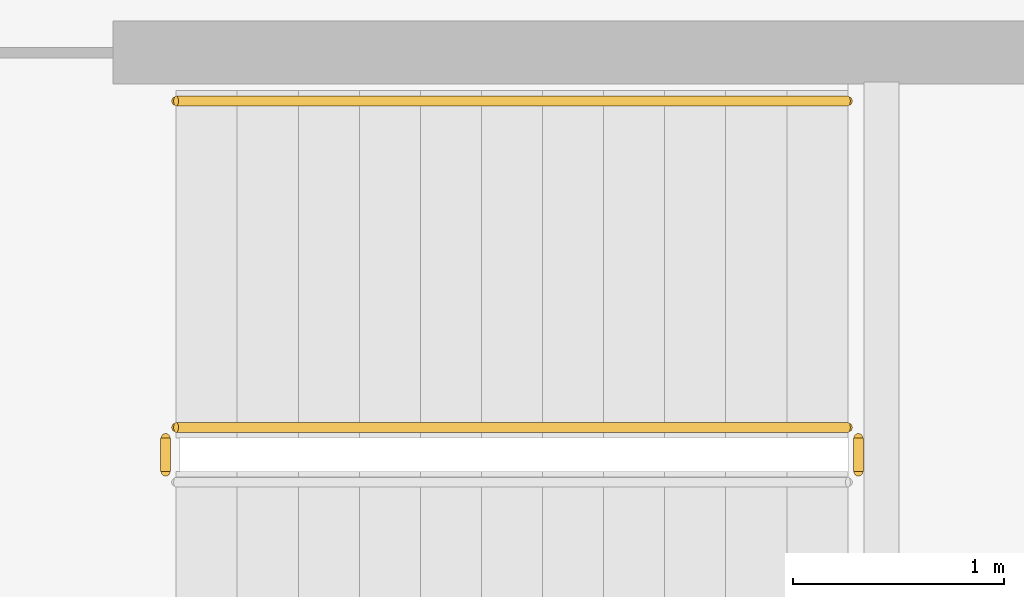
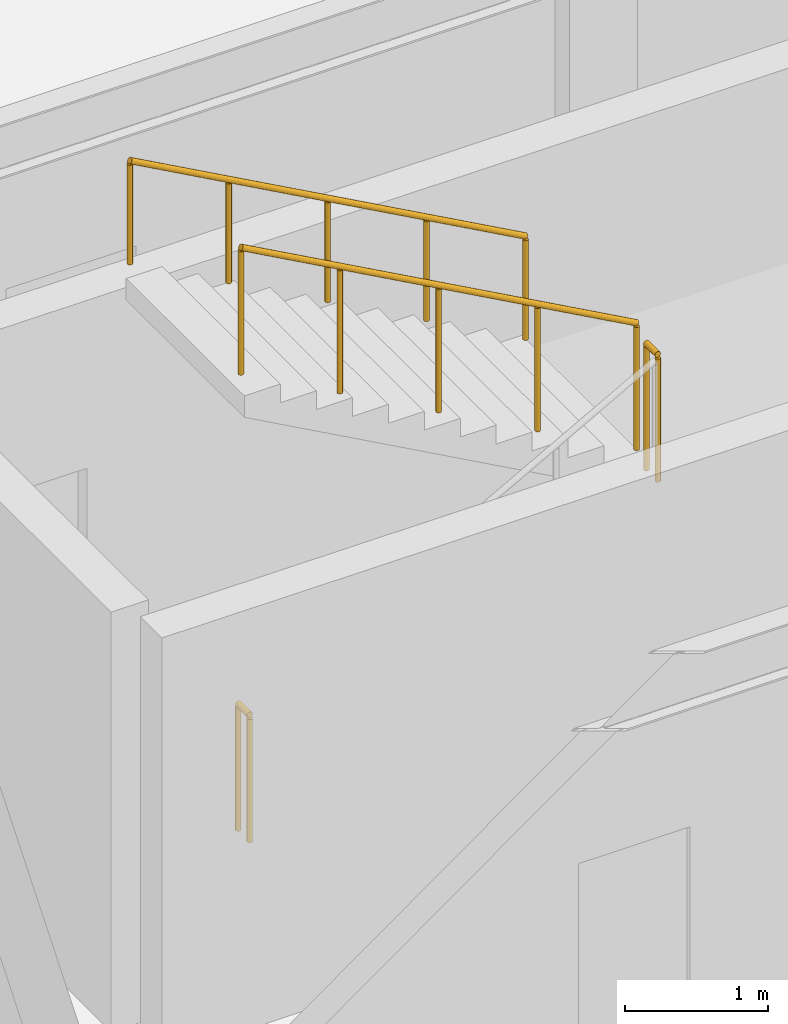
# One storey, part 50 of 53: 4 railings.
"""IFC4 building model written with IfcOpenShell, lengths in metres."""

from ifc_helpers import new_model, si_unit, direction, frame, origin, origin_2d, place, context, subcontext, project, spatial, circle, extrude, material, type_object, element, save


model = new_model("IFC4")

# Units and contexts
model_context = context("Model", 3, precision=1e-05, world=origin(), true_north=direction((0.0, 1.0)))
body_context = subcontext(model_context, "Body", "Model", "MODEL_VIEW")
ifc_project = project(units=[si_unit("LENGTHUNIT", "METRE"), si_unit("AREAUNIT", "SQUARE_METRE"), si_unit("VOLUMEUNIT", "CUBIC_METRE"), si_unit("PLANEANGLEUNIT", "RADIAN"), si_unit("MASSUNIT", "GRAM", prefix="KILO")], contexts=[model_context])

# Site, building, storey
site_placement = place(None, origin())
site = spatial("IfcSite", under=ifc_project, at=site_placement, CompositionType="ELEMENT")
building_placement = place(site_placement, origin())
building = spatial("IfcBuilding", under=site, at=building_placement, Name="Kranzveld Transit Interchange", CompositionType="ELEMENT")
storey_placement = place(building_placement, frame((0.0, 0.0, 13.360107421875)))
storey = spatial("IfcBuildingStorey", under=building, at=storey_placement, Name="L03", CompositionType="ELEMENT", Elevation=13.360107421875)

# Railings
ifc_material_1 = material(Name="Steel S355JR", Category="steel")
railing_type_1 = type_object("IfcRailingType", Name="Stair & Ramp Handrail Steel 900", PredefinedType="HANDRAIL", material=ifc_material_1)
railing_1_placement = place(storey_placement, frame((6.590087890625, 69.679931640625, 2.079833984375)))
element("IfcRailing", 1, at=railing_1_placement, inside=storey, type_object=railing_type_1, Name="L03 ST-C1 stair handrail 2", PredefinedType="HANDRAIL", context=body_context, shape_type="SweptSolid", body=[
    extrude(circle(Radius=0.02392578125, at=origin_2d()), frame((0.0, 0.0, 0.8759765625), z_axis=(-0.875588434347, 0.0, 0.483057857443), x_axis=(0.0, -1.0, 0.0)), (0.0, 0.0, 1.0), 3.6435546875),
    extrude(circle(Radius=0.02099609375, at=origin_2d()), origin(), (0.0, 0.0, 1.0), 0.849853515625),
    extrude(circle(Radius=0.02099609375, at=origin_2d()), frame((-0.797607421875, 0.0, 0.43994140625)), (0.0, 0.0, 1.0), 0.849853515625),
    extrude(circle(Radius=0.02099609375, at=origin_2d()), frame((-1.59521484375, 0.0, 0.8798828125)), (0.0, 0.0, 1.0), 0.849853515625),
    extrude(circle(Radius=0.02099609375, at=origin_2d()), frame((-2.392578125, 0.0, 1.320068359375)), (0.0, 0.0, 1.0), 0.849853515625),
    extrude(circle(Radius=0.02099609375, at=origin_2d()), frame((-3.190185546875, 0.0, 1.760009765625)), (0.0, 0.0, 1.0), 0.849853515625),
])
ifc_material_2 = material(Name="Steel S355JR", Category="steel")
railing_type_2 = type_object("IfcRailingType", Name="Stair Well Guardrail Steel 1100", PredefinedType="GUARDRAIL", material=ifc_material_2)
railing_2_placement = place(storey_placement, frame((6.639892578125, 67.919921875, 1.919921875)))
element("IfcRailing", 2, at=railing_2_placement, inside=storey, type_object=railing_type_2, Name="L03 ST-C1 stair guard 2", PredefinedType="GUARDRAIL", context=body_context, shape_type="SweptSolid", body=[
    extrude(circle(Radius=0.02392578125, at=origin_2d()), frame((0.0, 0.0, 1.076171875), z_axis=(0.0, 1.0, 0.0), x_axis=(-1.0, 0.0, 0.0)), (0.0, 0.0, 1.0), 0.16015625),
    extrude(circle(Radius=0.02099609375, at=origin_2d()), origin(), (0.0, 0.0, 1.0), 1.050048828125),
    extrude(circle(Radius=0.02099609375, at=origin_2d()), frame((0.0, 0.16015625, 0.0)), (0.0, 0.0, 1.0), 1.050048828125),
])
railing_3_placement = place(storey_placement, frame((6.590087890625, 68.1298828125, 2.079833984375)))
element("IfcRailing", 3, at=railing_3_placement, inside=storey, type_object=railing_type_2, Name="L03 ST-C1 stair guard 3", PredefinedType="GUARDRAIL", context=body_context, shape_type="SweptSolid", body=[
    extrude(circle(Radius=0.02392578125, at=origin_2d()), frame((0.0, 0.0, 1.076171875), z_axis=(-0.875588434347, 0.0, 0.483057857443), x_axis=(0.0, -1.0, 0.0)), (0.0, 0.0, 1.0), 3.6435546875),
    extrude(circle(Radius=0.02099609375, at=origin_2d()), origin(), (0.0, 0.0, 1.0), 1.050048828125),
    extrude(circle(Radius=0.02099609375, at=origin_2d()), frame((-0.797607421875, 0.0, 0.43994140625)), (0.0, 0.0, 1.0), 1.050048828125),
    extrude(circle(Radius=0.02099609375, at=origin_2d()), frame((-1.59521484375, 0.0, 0.8798828125)), (0.0, 0.0, 1.0), 1.050048828125),
    extrude(circle(Radius=0.02099609375, at=origin_2d()), frame((-2.392578125, 0.0, 1.320068359375)), (0.0, 0.0, 1.0), 1.050048828125),
    extrude(circle(Radius=0.02099609375, at=origin_2d()), frame((-3.190185546875, 0.0, 1.760009765625)), (0.0, 0.0, 1.0), 1.050048828125),
])
railing_4_placement = place(storey_placement, frame((3.35009765625, 67.919921875, 0.0)))
element("IfcRailing", 4, at=railing_4_placement, inside=storey, type_object=railing_type_2, Name="L03 ST-C1 stair guard 4", PredefinedType="GUARDRAIL", context=body_context, shape_type="SweptSolid", body=[
    extrude(circle(Radius=0.02392578125, at=origin_2d()), frame((0.0, 0.0, 1.076171875), z_axis=(0.0, 1.0, 0.0), x_axis=(-1.0, 0.0, 0.0)), (0.0, 0.0, 1.0), 0.16015625),
    extrude(circle(Radius=0.02099609375, at=origin_2d()), origin(), (0.0, 0.0, 1.0), 1.050048828125),
    extrude(circle(Radius=0.02099609375, at=origin_2d()), frame((0.0, 0.16015625, 0.0)), (0.0, 0.0, 1.0), 1.050048828125),
])

save(model, "model.ifc")
